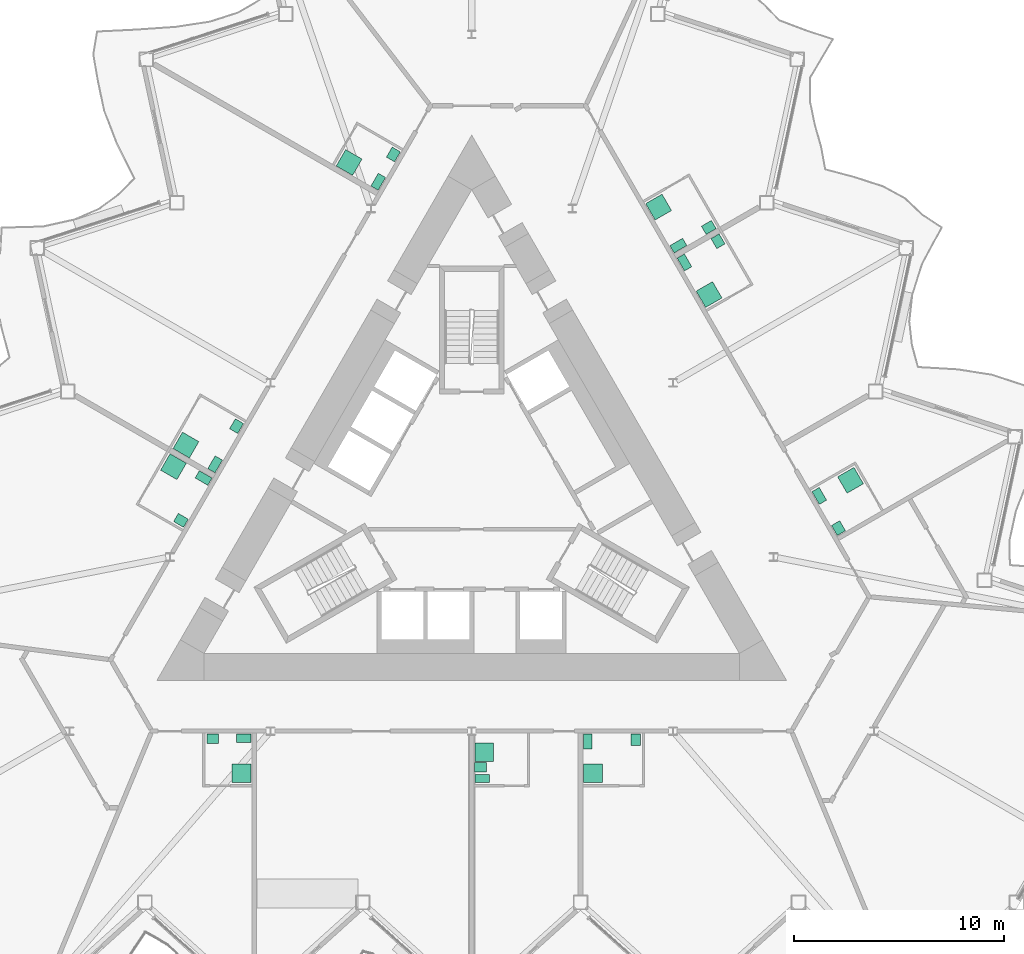
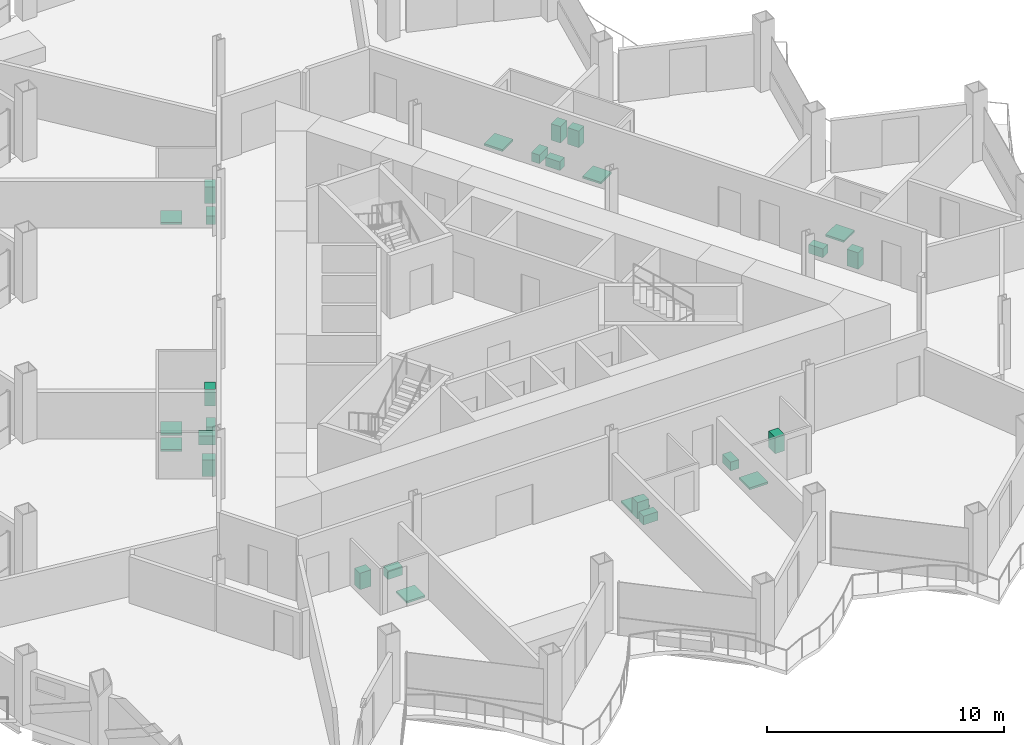
# One storey, part 22 of 23: 27 sanitary terminals.
"""IFC4 building model written with IfcOpenShell, lengths in metres."""

from ifc_helpers import new_model, si_unit, direction, frame, origin, origin_2d, place, context, subcontext, project, spatial, rectangle, extrude, material, type_object, element, save


model = new_model("IFC4")

# Units and contexts
model_context = context("Model", 3, precision=1e-05, world=origin(), true_north=direction((0.0, 1.0)))
body_context = subcontext(model_context, "Body", "Model", "MODEL_VIEW")
ifc_project = project(units=[si_unit("LENGTHUNIT", "METRE"), si_unit("AREAUNIT", "SQUARE_METRE"), si_unit("VOLUMEUNIT", "CUBIC_METRE"), si_unit("PLANEANGLEUNIT", "RADIAN"), si_unit("MASSUNIT", "GRAM", prefix="KILO")], contexts=[model_context])

# Site, building, storey
site_placement = place(None, origin())
site = spatial("IfcSite", under=ifc_project, at=site_placement, CompositionType="ELEMENT")
building_placement = place(site_placement, origin())
building = spatial("IfcBuilding", under=site, at=building_placement, Name="Cormorant Prow Tower", CompositionType="ELEMENT")
storey_placement = place(building_placement, frame((0.0, 0.0, 259.800048828125)))
storey = spatial("IfcBuildingStorey", under=building, at=storey_placement, Name="L58", CompositionType="ELEMENT", Elevation=259.800048828125)

# Sanitary terminals
ifc_material_1 = material(Name="Vitreous china")
sanitary_terminal_type_1 = type_object("IfcSanitaryTerminalType", Name="Shower tray 900x900", PredefinedType="SHOWER", material=ifc_material_1)
for number, where, z_axis, x_axis, name in (
    (1, (-10.9541015625, -13.065185546875, 0.0), (0.0, 0.0, 1.0), (-1.0, 0.0, 0.0), "Shower tray"),
    (2, (0.594970703125, -12.065185546875, 0.0), (0.0, 0.0, 1.0), (1.0, 0.0, 0.0), "Shower tray"),
    (3, (5.7744140625, -13.065185546875, 0.0), (0.0, 0.0, 1.0), (0.0, 1.0, 0.0), "Shower tray"),
    (4, (18.039794921875, 0.884521484375, 0.0), (0.0, 0.0, 1.0), (0.5, -0.866025403784, 0.0), "Shower tray"),
    (5, (11.3046875, 9.73046875, 0.0), (0.0, 0.0, 1.0), (-0.5, 0.866025403784, 0.0), "Shower tray"),
    (6, (8.899658203125, 13.89599609375, 0.0), (0.0, 0.0, 1.0), (0.866025403784, 0.5, 0.0), "Shower tray"),
    (7, (-5.837890625, 16.01904296875, 0.0), (0.0, 0.0, 1.0), (0.5, 0.866025403784, 0.0), "Shower tray"),
    (8, (-13.607177734375, 2.562255859375, 0.0), (0.0, 0.0, 1.0), (0.5, 0.866025403784, 0.0), "Shower tray"),
    (9, (-14.2021484375, 1.53173828125, 0.0), (0.0, 0.0, 1.0), (0.866025403784, -0.5, 0.0), "Shower tray"),
):
    element("IfcSanitaryTerminal", number, at=place(storey_placement, frame(where, z_axis=z_axis, x_axis=x_axis)), inside=storey, type_object=sanitary_terminal_type_1, Name=name, PredefinedType="SHOWER", context=body_context, shape_type="SweptSolid", body=[
        extrude(rectangle(XDim=0.89990234375, YDim=0.89990234375, at=origin_2d()), origin(), (0.0, 0.0, 1.0), 0.10009765625),
    ])
ifc_material_2 = material(Name="Vitreous china")
sanitary_terminal_type_2 = type_object("IfcSanitaryTerminalType", Name="Wash basin 550x450", PredefinedType="WASHHANDBASIN", material=ifc_material_2)
for number, where, z_axis, x_axis, name in (
    (10, (-12.339111328125, -11.430419921875, 0.0), (0.0, 0.0, 1.0), (1.0, 0.0, 0.0), "Wash basin"),
    (11, (0.419921875, -12.790283203125, 0.0), (0.0, 0.0, 1.0), (1.0, 0.0, 0.0), "Wash basin"),
    (12, (7.8095703125, -11.480224609375, 0.0), (0.0, 0.0, 1.0), (0.0, -1.0, 0.0), "Wash basin"),
    (13, (17.466552734375, -1.392333984375, 0.0), (0.0, 0.0, 1.0), (-0.5, 0.866025403784, 0.0), "Wash basin"),
    (14, (11.72802734375, 12.26708984375, 0.0), (0.0, 0.0, 1.0), (0.5, -0.866025403784, 0.0), "Wash basin"),
    (15, (11.289794921875, 12.926025390625, 0.0), (0.0, 0.0, 1.0), (-0.866025403784, -0.5, 0.0), "Wash basin"),
    (16, (-3.7294921875, 16.40087890625, 0.0), (0.0, 0.0, 1.0), (-0.5, -0.866025403784, 0.0), "Wash basin"),
    (17, (-11.198486328125, 3.4638671875, 0.0), (0.0, 0.0, 1.0), (-0.5, -0.866025403784, 0.0), "Wash basin"),
    (18, (-13.846923828125, -1.023193359375, 0.0), (0.0, 0.0, 1.0), (-0.866025403784, 0.5, 0.0), "Wash basin"),
):
    element("IfcSanitaryTerminal", number, at=place(storey_placement, frame(where, z_axis=z_axis, x_axis=x_axis)), inside=storey, type_object=sanitary_terminal_type_2, Name=name, PredefinedType="WASHHANDBASIN", context=body_context, shape_type="SweptSolid", body=[
        extrude(rectangle(XDim=0.550048828125, YDim=0.449951171875, at=origin_2d()), origin(), (0.0, 0.0, 1.0), 0.85009765625),
    ])
ifc_material_3 = material(Name="Vitreous china")
sanitary_terminal_type_3 = type_object("IfcSanitaryTerminalType", Name="Water closet 400x700", PredefinedType="WCSEAT", material=ifc_material_3)
for number, where, z_axis, x_axis, name in (
    (19, (-10.85400390625, -11.4052734375, 0.0), (0.0, 0.0, 1.0), (0.0, -1.0, 0.0), "Water closet"),
    (20, (0.4951171875, -13.315185546875, 0.0), (0.0, 0.0, 1.0), (0.0, 1.0, 0.0), "Water closet"),
    (21, (5.5244140625, -11.555419921875, 0.0), (0.0, 0.0, 1.0), (1.0, 0.0, 0.0), "Water closet"),
    (22, (16.55224609375, 0.14111328125, 0.0), (0.0, 0.0, 1.0), (0.866025403784, 0.5, 0.0), "Water closet"),
    (23, (10.133056640625, 11.259521484375, 0.0), (0.0, 0.0, 1.0), (0.866025403784, 0.5, 0.0), "Water closet"),
    (24, (9.843017578125, 12.06201171875, 0.0), (0.0, 0.0, 1.0), (-0.5, 0.866025403784, 0.0), "Water closet"),
    (25, (-4.4501953125, 15.1025390625, 0.0), (0.0, 0.0, 1.0), (-0.866025403784, 0.5, 0.0), "Water closet"),
    (26, (-12.219482421875, 1.645751953125, 0.0), (0.0, 0.0, 1.0), (-0.866025403784, 0.5, 0.0), "Water closet"),
    (27, (-12.769287109375, 0.993408203125, 0.0), (0.0, 0.0, 1.0), (-0.5, -0.866025403784, 0.0), "Water closet"),
):
    element("IfcSanitaryTerminal", number, at=place(storey_placement, frame(where, z_axis=z_axis, x_axis=x_axis)), inside=storey, type_object=sanitary_terminal_type_3, Name=name, PredefinedType="WCSEAT", context=body_context, shape_type="SweptSolid", body=[
        extrude(rectangle(XDim=0.39990234375, YDim=0.699951171875, at=origin_2d()), origin(), (0.0, 0.0, 1.0), 0.449951171875),
    ])

save(model, "model.ifc")
